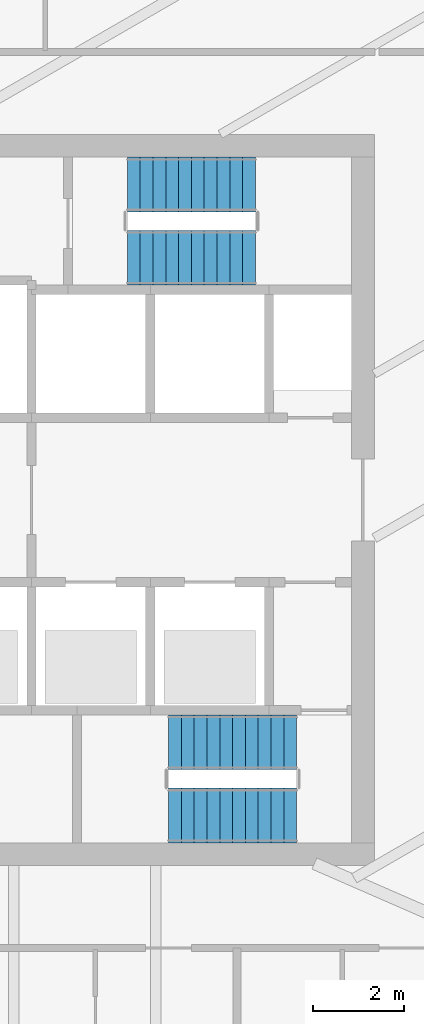
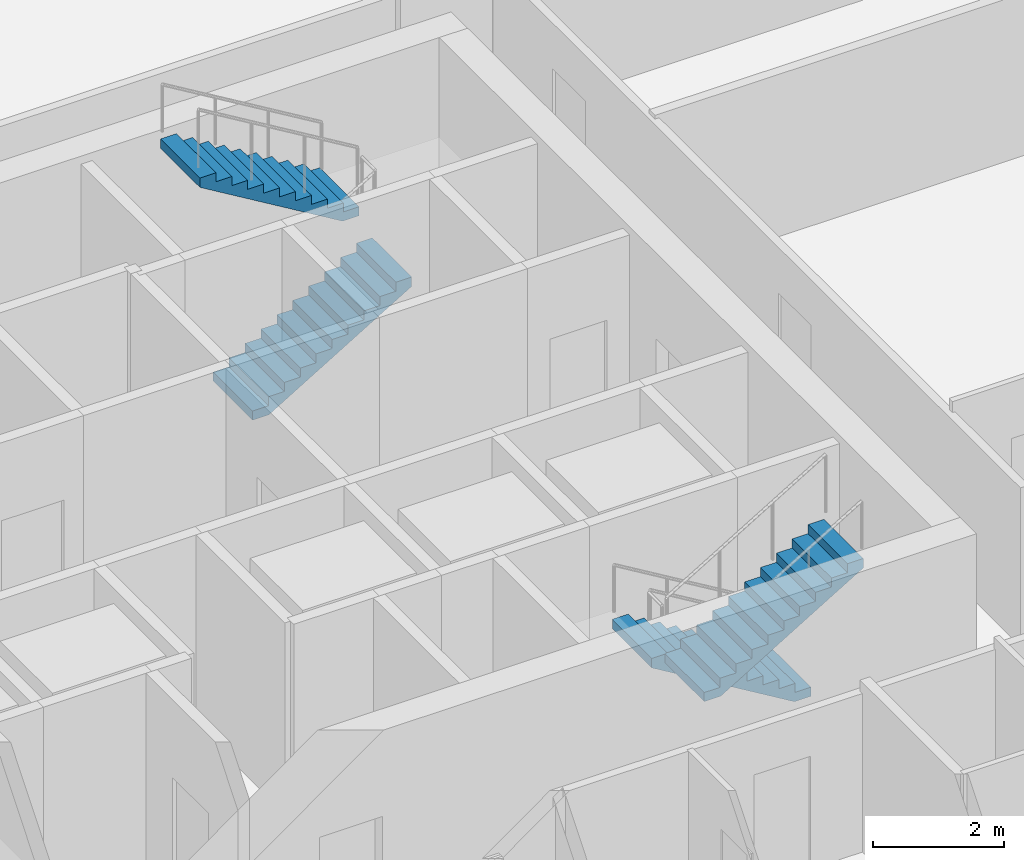
# One storey, part 16 of 22: 4 stair flights, 2 elements without a shape of their own.
"""IFC4 building model written with IfcOpenShell, lengths in metres."""

from ifc_helpers import new_model, si_unit, direction, frame, origin, place, context, subcontext, project, spatial, polyline, outline, extrude, material, type_object, element, aggregate, save


model = new_model("IFC4")

# Units and contexts
model_context = context("Model", 3, precision=1e-05, world=origin(), true_north=direction((0.0, 1.0)))
body_context = subcontext(model_context, "Body", "Model", "MODEL_VIEW")
ifc_project = project(units=[si_unit("LENGTHUNIT", "METRE"), si_unit("AREAUNIT", "SQUARE_METRE"), si_unit("VOLUMEUNIT", "CUBIC_METRE"), si_unit("PLANEANGLEUNIT", "RADIAN"), si_unit("MASSUNIT", "GRAM", prefix="KILO")], contexts=[model_context])

# Site, building, storey
site_placement = place(None, origin())
site = spatial("IfcSite", under=ifc_project, at=site_placement, CompositionType="ELEMENT")
building_placement = place(site_placement, origin())
building = spatial("IfcBuilding", under=site, at=building_placement, Name="Sierra Prisma Convention Tower", CompositionType="ELEMENT")
storey_placement = place(building_placement, frame((0.0, 0.0, 73.89990234375)))
storey = spatial("IfcBuildingStorey", under=building, at=storey_placement, Name="L14", CompositionType="ELEMENT", Elevation=73.89990234375)

# Stair, stair flights
ifc_material_1 = material(Name="Concrete C30/37", Category="concrete")
stair_type = type_object("IfcStairType", Name="Stair dog-leg 1200 RC", PredefinedType="HALF_TURN_STAIR", material=ifc_material_1)
stair_1_placement = place(storey_placement, origin())
stair_1 = element("IfcStair", 1, at=stair_1_placement, inside=storey, type_object=stair_type, Name="L14 S2", PredefinedType="HALF_TURN_STAIR")
ifc_material_2 = material(Name="Concrete C30/37", Category="concrete")
stair_flight_type = type_object("IfcStairFlightType", Name="Stair flight RC 1200", PredefinedType="STRAIGHT", material=ifc_material_2)
stair_flight_1_placement = place(storey_placement, frame((9.300048828125, -5.300048828125, 0.0), z_axis=(0.0, 0.0, 1.0), x_axis=(-1.0, 0.0, 0.0)))
stair_flight_1 = element("IfcStairFlight", 2, at=stair_flight_1_placement, type_object=stair_flight_type, Name="S2 flight 1", NumberOfRisers=11, NumberOfTreads=10, PredefinedType="STRAIGHT", RiserHeight=0.168181818, TreadLength=0.28, context=body_context, shape_type="SweptSolid", body=[
    extrude(outline(polyline([(0.0, 0.0), (0.0, 0.168212890625), (0.280029296875, 0.168212890625), (0.280029296875, 0.33642578125), (0.56005859375, 0.33642578125), (0.56005859375, 0.504638671875), (0.840087890625, 0.504638671875), (0.840087890625, 0.672607421875), (1.1201171875, 0.672607421875), (1.1201171875, 0.8408203125), (1.39990234375, 0.8408203125), (1.39990234375, 1.009033203125), (1.679931640625, 1.009033203125), (1.679931640625, 1.17724609375), (1.9599609375, 1.17724609375), (1.9599609375, 1.345458984375), (2.239990234375, 1.345458984375), (2.239990234375, 1.513671875), (2.52001953125, 1.513671875), (2.52001953125, 1.681884765625), (2.800048828125, 1.681884765625), (2.800048828125, 1.85009765625), (2.800048828125, 1.5068359375), (0.291015625, 0.0), (0.0, 0.0)])), frame((0.0, 0.60009765625, 0.0), z_axis=(0.0, -1.0, 0.0), x_axis=(1.0, 0.0, 0.0)), (0.0, 0.0, 1.0), 1.199951171875),
])
stair_flight_2_placement = place(storey_placement, frame((6.5, -6.89990234375, 1.85009765625), z_axis=(0.0, 0.0, 1.0), x_axis=(1.0, 0.0, 0.0)))
stair_flight_2 = element("IfcStairFlight", 3, at=stair_flight_2_placement, type_object=stair_flight_type, Name="S2 flight 2", NumberOfRisers=11, NumberOfTreads=10, PredefinedType="STRAIGHT", RiserHeight=0.168181818, TreadLength=0.28, context=body_context, shape_type="SweptSolid", body=[
    extrude(outline(polyline([(0.0, 0.0), (0.0, 0.168212890625), (0.280029296875, 0.168212890625), (0.280029296875, 0.33642578125), (0.56005859375, 0.33642578125), (0.56005859375, 0.504638671875), (0.840087890625, 0.504638671875), (0.840087890625, 0.672607421875), (1.1201171875, 0.672607421875), (1.1201171875, 0.8408203125), (1.39990234375, 0.8408203125), (1.39990234375, 1.009033203125), (1.679931640625, 1.009033203125), (1.679931640625, 1.17724609375), (1.9599609375, 1.17724609375), (1.9599609375, 1.345458984375), (2.239990234375, 1.345458984375), (2.239990234375, 1.513671875), (2.52001953125, 1.513671875), (2.52001953125, 1.681884765625), (2.800048828125, 1.681884765625), (2.800048828125, 1.85009765625), (2.800048828125, 1.5068359375), (0.291015625, 0.0), (0.0, 0.0)])), frame((0.0, 0.60009765625, 0.0), z_axis=(0.0, -1.0, 0.0), x_axis=(1.0, 0.0, 0.0)), (0.0, 0.0, 1.0), 1.199951171875),
])
aggregate(stair_1, [stair_flight_1, stair_flight_2])

stair_2_placement = place(storey_placement, origin())
stair_2 = element("IfcStair", 4, at=stair_2_placement, inside=storey, type_object=stair_type, Name="L14 S4", PredefinedType="HALF_TURN_STAIR")
stair_flight_3_placement = place(storey_placement, frame((5.60009765625, 5.300048828125, 0.0), z_axis=(0.0, 0.0, 1.0), x_axis=(1.0, 0.0, 0.0)))
stair_flight_3 = element("IfcStairFlight", 5, at=stair_flight_3_placement, type_object=stair_flight_type, Name="S4 flight 1", NumberOfRisers=11, NumberOfTreads=10, PredefinedType="STRAIGHT", RiserHeight=0.168181818, TreadLength=0.28, context=body_context, shape_type="SweptSolid", body=[
    extrude(outline(polyline([(0.0, 0.0), (0.0, 0.168212890625), (0.280029296875, 0.168212890625), (0.280029296875, 0.33642578125), (0.56005859375, 0.33642578125), (0.56005859375, 0.504638671875), (0.840087890625, 0.504638671875), (0.840087890625, 0.672607421875), (1.1201171875, 0.672607421875), (1.1201171875, 0.8408203125), (1.39990234375, 0.8408203125), (1.39990234375, 1.009033203125), (1.679931640625, 1.009033203125), (1.679931640625, 1.17724609375), (1.9599609375, 1.17724609375), (1.9599609375, 1.345458984375), (2.239990234375, 1.345458984375), (2.239990234375, 1.513671875), (2.52001953125, 1.513671875), (2.52001953125, 1.681884765625), (2.800048828125, 1.681884765625), (2.800048828125, 1.85009765625), (2.800048828125, 1.5068359375), (0.291015625, 0.0), (0.0, 0.0)])), frame((0.0, 0.60009765625, 0.0), z_axis=(0.0, -1.0, 0.0), x_axis=(1.0, 0.0, 0.0)), (0.0, 0.0, 1.0), 1.199951171875),
])
stair_flight_4_placement = place(storey_placement, frame((8.39990234375, 6.89990234375, 1.85009765625), z_axis=(0.0, 0.0, 1.0), x_axis=(-1.0, 0.0, 0.0)))
stair_flight_4 = element("IfcStairFlight", 6, at=stair_flight_4_placement, type_object=stair_flight_type, Name="S4 flight 2", NumberOfRisers=11, NumberOfTreads=10, PredefinedType="STRAIGHT", RiserHeight=0.168181818, TreadLength=0.28, context=body_context, shape_type="SweptSolid", body=[
    extrude(outline(polyline([(0.0, 0.0), (0.0, 0.168212890625), (0.280029296875, 0.168212890625), (0.280029296875, 0.33642578125), (0.56005859375, 0.33642578125), (0.56005859375, 0.504638671875), (0.840087890625, 0.504638671875), (0.840087890625, 0.672607421875), (1.1201171875, 0.672607421875), (1.1201171875, 0.8408203125), (1.39990234375, 0.8408203125), (1.39990234375, 1.009033203125), (1.679931640625, 1.009033203125), (1.679931640625, 1.17724609375), (1.9599609375, 1.17724609375), (1.9599609375, 1.345458984375), (2.239990234375, 1.345458984375), (2.239990234375, 1.513671875), (2.52001953125, 1.513671875), (2.52001953125, 1.681884765625), (2.800048828125, 1.681884765625), (2.800048828125, 1.85009765625), (2.800048828125, 1.5068359375), (0.291015625, 0.0), (0.0, 0.0)])), frame((0.0, 0.60009765625, 0.0), z_axis=(0.0, -1.0, 0.0), x_axis=(1.0, 0.0, 0.0)), (0.0, 0.0, 1.0), 1.199951171875),
])
aggregate(stair_2, [stair_flight_3, stair_flight_4])

save(model, "model.ifc")
